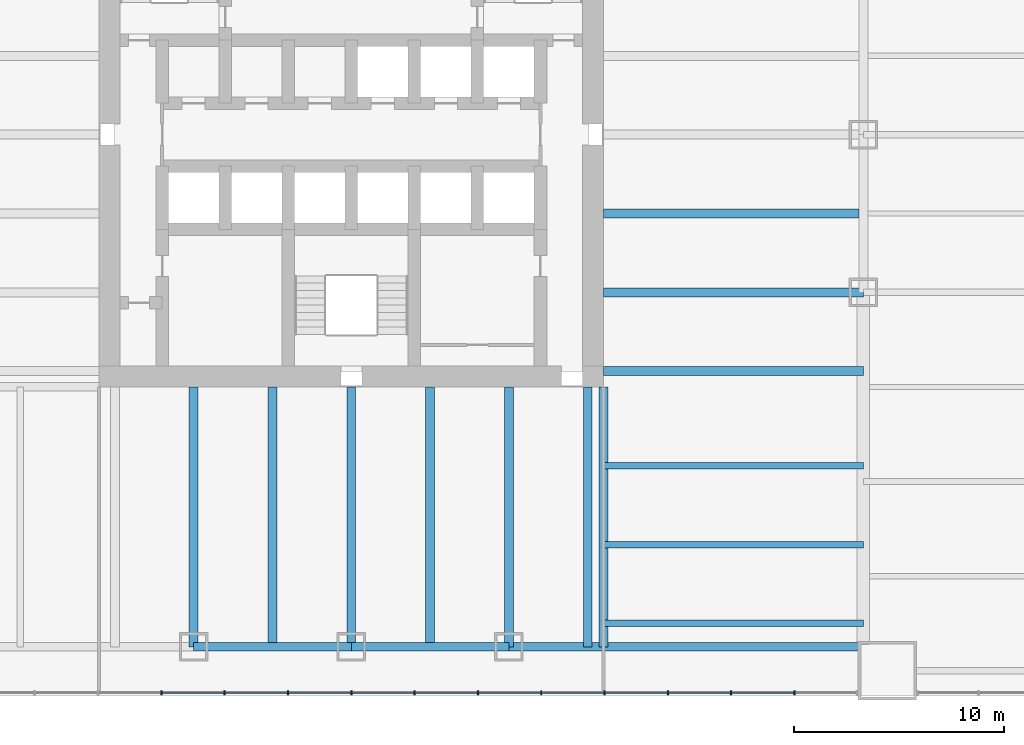
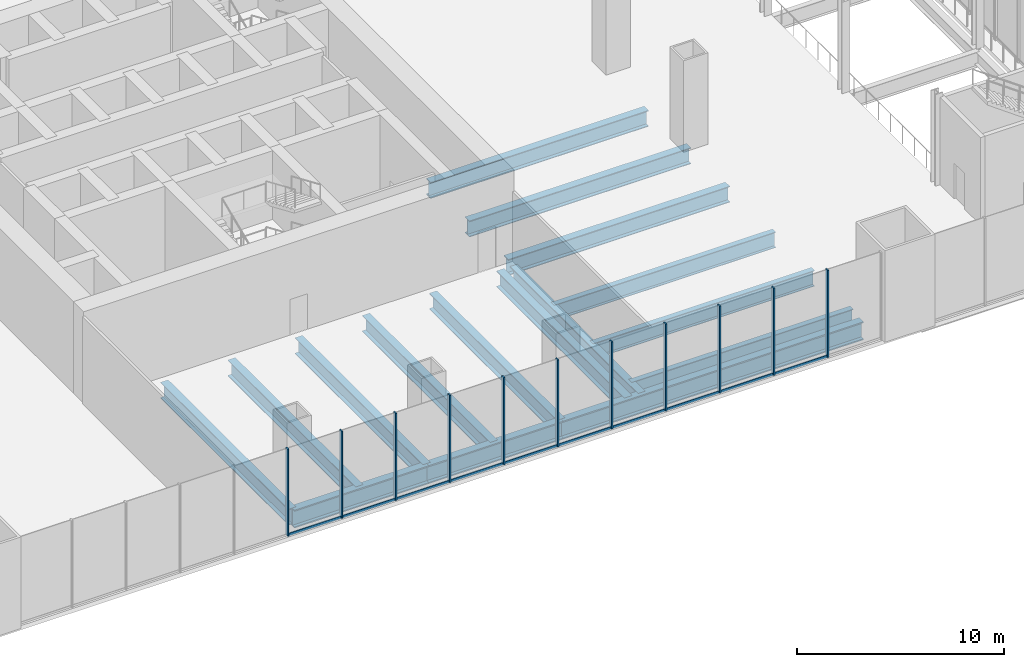
# One storey, part 4 of 16: 21 members, 16 beams, 1 element without a shape of its own.
"""IFC4 building model written with IfcOpenShell, lengths in metres."""

from ifc_helpers import new_model, si_unit, direction, frame, origin, origin_2d, place, context, subcontext, project, spatial, rectangle, i_section, extrude, material, material_profile, profile_set, type_object, element, aggregate, save


model = new_model("IFC4")

# Units and contexts
model_context = context("Model", 3, precision=1e-05, world=origin(), true_north=direction((0.0, 1.0)))
body_context = subcontext(model_context, "Body", "Model", "MODEL_VIEW")
ifc_project = project(units=[si_unit("LENGTHUNIT", "METRE"), si_unit("AREAUNIT", "SQUARE_METRE"), si_unit("VOLUMEUNIT", "CUBIC_METRE"), si_unit("PLANEANGLEUNIT", "RADIAN"), si_unit("MASSUNIT", "GRAM", prefix="KILO")], contexts=[model_context])

# Site, building, storey
site_placement = place(None, origin())
site = spatial("IfcSite", under=ifc_project, at=site_placement, CompositionType="ELEMENT")
building_placement = place(site_placement, origin())
building = spatial("IfcBuilding", under=site, at=building_placement, Name="Tarangal Relay Tower", CompositionType="ELEMENT")
storey_placement = place(building_placement, frame((0.0, 0.0, 7.199951171875)))
storey = spatial("IfcBuildingStorey", under=building, at=storey_placement, Name="L01", CompositionType="ELEMENT", Elevation=7.199951171875)

# Beams
ifc_material_1 = material(Name="Steel ASTM A992", Category="steel")
ifc_material_profile_1 = material_profile(ifc_material_1, i_section(OverallWidth=0.307373046875, OverallDepth=0.927001953125, WebThickness=0.019287109375, FlangeThickness=0.031982421875, at=origin_2d()), Name="W36X194")
ifc_profile_set_1 = profile_set([ifc_material_profile_1], Name="Steel ASTM A992")
beam_type_1 = type_object("IfcBeamType", Name="Corner beam W36X194", PredefinedType="JOIST", material=ifc_profile_set_1)
for number, where, z_axis, x_axis, name in (
    (1, (12.0, -15.75, -0.71337890625), (1.0, 0.0, 0.0), (0.0, 1.0, 0.0), "Corner beam CB10 E L01"),
    (2, (12.0, -19.5, -0.71337890625), (1.0, 0.0, 0.0), (0.0, 1.0, 0.0), "Corner beam CB10 E L01"),
    (3, (12.0, -23.25, -0.71337890625), (1.0, 0.0, 0.0), (0.0, 1.0, 0.0), "Corner beam CB10 E L01"),
):
    element("IfcBeam", number, at=place(storey_placement, frame(where, z_axis=z_axis, x_axis=x_axis)), inside=storey, type_object=beam_type_1, Name=name, PredefinedType="JOIST", context=body_context, shape_type="SweptSolid", body=[
        extrude(i_section(OverallWidth=0.307373046875, OverallDepth=0.927001953125, WebThickness=0.019287109375, FlangeThickness=0.031982421875, at=origin_2d()), origin(), (0.0, 0.0, 1.0), 12.364990234375),
    ])
ifc_material_profile_2 = material_profile(ifc_material_1, i_section(OverallWidth=0.408935546875, OverallDepth=1.04150390625, WebThickness=0.031005859375, FlangeThickness=0.055908203125, at=origin_2d()), Name="W40X397")
ifc_profile_set_2 = profile_set([ifc_material_profile_2], Name="Steel ASTM A992")
beam_type_2 = type_object("IfcBeamType", Name="Corner girder W40X397", PredefinedType="BEAM", material=ifc_profile_set_2)
beam_1_placement = place(storey_placement, frame((12.0, -12.0, -0.770751953125), z_axis=(0.0, -1.0, 0.0), x_axis=(1.0, 0.0, 0.0)))
element("IfcBeam", 4, at=beam_1_placement, inside=storey, type_object=beam_type_2, Name="Corner girder CG1 E L01", PredefinedType="BEAM", context=body_context, shape_type="SweptSolid", body=[
    extrude(i_section(OverallWidth=0.408935546875, OverallDepth=1.04150390625, WebThickness=0.031005859375, FlangeThickness=0.055908203125, at=origin_2d()), origin(), (0.0, 0.0, 1.0), 12.364990234375),
])
ifc_material_profile_3 = material_profile(ifc_material_1, i_section(OverallWidth=0.41650390625, OverallDepth=1.0693359375, WebThickness=0.0390625, FlangeThickness=0.070068359375, at=origin_2d()), Name="W40X503")
ifc_profile_set_3 = profile_set([ifc_material_profile_3], Name="Steel ASTM A992")
beam_type_3 = type_object("IfcBeamType", Name="Edge girder W40X503", PredefinedType="SPANDREL", material=ifc_profile_set_3)
beam_2_placement = place(storey_placement, frame((24.25, -24.364990234375, -0.78466796875), z_axis=(-1.0, 0.0, 0.0), x_axis=(0.0, -1.0, 0.0)))
element("IfcBeam", 5, at=beam_2_placement, inside=storey, type_object=beam_type_3, Name="Edge girder EG8 S L01", PredefinedType="SPANDREL", context=body_context, shape_type="SweptSolid", body=[
    extrude(i_section(OverallWidth=0.41650390625, OverallDepth=1.0693359375, WebThickness=0.0390625, FlangeThickness=0.070068359375, at=origin_2d()), origin(), (0.0, 0.0, 1.0), 16.75),
])
for number, where, z_axis, x_axis, name in (
    (6, (7.5, -24.364990234375, -0.78466796875), (-1.0, 0.0, 0.0), (0.0, -1.0, 0.0), "Edge girder EG8 S L01"),
    (7, (0.0, -24.364990234375, -0.78466796875), (-1.0, 0.0, 0.0), (0.0, -1.0, 0.0), "Edge girder EG8 S L01"),
):
    element("IfcBeam", number, at=place(storey_placement, frame(where, z_axis=z_axis, x_axis=x_axis)), inside=storey, type_object=beam_type_3, Name=name, PredefinedType="SPANDREL", context=body_context, shape_type="SweptSolid", body=[
        extrude(i_section(OverallWidth=0.41650390625, OverallDepth=1.0693359375, WebThickness=0.0390625, FlangeThickness=0.070068359375, at=origin_2d()), origin(), (0.0, 0.0, 1.0), 7.5),
    ])
ifc_material_profile_4 = material_profile(ifc_material_1, i_section(OverallWidth=0.42431640625, OverallDepth=0.947509765625, WebThickness=0.02392578125, FlangeThickness=0.042724609375, at=origin_2d()), Name="W36X302")
ifc_profile_set_4 = profile_set([ifc_material_profile_4], Name="Steel ASTM A992")
beam_type_4 = type_object("IfcBeamType", Name="Floor beam W36X302", PredefinedType="BEAM", material=ifc_profile_set_4)
beam_3_placement = place(storey_placement, frame((12.0, -3.75, -0.7236328125), z_axis=(1.0, 0.0, 0.0), x_axis=(0.0, 1.0, 0.0)))
element("IfcBeam", 8, at=beam_3_placement, inside=storey, type_object=beam_type_4, Name="Floor beam RB10 E L01", PredefinedType="BEAM", context=body_context, shape_type="SweptSolid", body=[
    extrude(i_section(OverallWidth=0.42431640625, OverallDepth=0.947509765625, WebThickness=0.02392578125, FlangeThickness=0.042724609375, at=origin_2d()), origin(), (0.0, 0.0, 1.0), 12.156982421875),
])
for number, where, z_axis, x_axis, name in (
    (9, (12.0, -7.5, -0.7236328125), (1.0, 0.0, 0.0), (0.0, 1.0, 0.0), "Floor beam RB10 E L01"),
    (10, (12.0, -11.25, -0.7236328125), (1.0, 0.0, 0.0), (0.0, 1.0, 0.0), "Floor beam RB10 E L01"),
    (11, (11.25, -12.0, -0.7236328125), (0.0, -1.0, 0.0), (1.0, 0.0, 0.0), "Floor beam RB10 S L01"),
    (12, (7.5, -12.0, -0.7236328125), (0.0, -1.0, 0.0), (1.0, 0.0, 0.0), "Floor beam RB10 S L01"),
    (13, (3.75, -12.0, -0.7236328125), (0.0, -1.0, 0.0), (1.0, 0.0, 0.0), "Floor beam RB10 S L01"),
    (14, (0.0, -12.0, -0.7236328125), (0.0, -1.0, 0.0), (1.0, 0.0, 0.0), "Floor beam RB10 S L01"),
    (15, (-3.75, -12.0, -0.7236328125), (0.0, -1.0, 0.0), (1.0, 0.0, 0.0), "Floor beam RB10 S L01"),
    (16, (-7.5, -12.0, -0.7236328125), (0.0, -1.0, 0.0), (1.0, 0.0, 0.0), "Floor beam RB10 S L01"),
):
    element("IfcBeam", number, at=place(storey_placement, frame(where, z_axis=z_axis, x_axis=x_axis)), inside=storey, type_object=beam_type_4, Name=name, PredefinedType="BEAM", context=body_context, shape_type="SweptSolid", body=[
        extrude(i_section(OverallWidth=0.42431640625, OverallDepth=0.947509765625, WebThickness=0.02392578125, FlangeThickness=0.042724609375, at=origin_2d()), origin(), (0.0, 0.0, 1.0), 12.364990234375),
    ])

# Curtain wall, members
ifc_material_2 = material(Name="Unitised curtain wall, dark glass and black aluminium", Category="aluminium")
curtain_wall_type = type_object("IfcCurtainWallType", Name="Curtain wall CW-P", PredefinedType="USERDEFINED", material=ifc_material_2)
curtain_wall_placement = place(storey_placement, origin())
curtain_wall = element("IfcCurtainWall", 17, at=curtain_wall_placement, inside=storey, type_object=curtain_wall_type, Name="Curtain wall CW-P Podium S facade L01", ObjectType="UNITISED CURTAIN WALL", PredefinedType="USERDEFINED")
ifc_material_3 = material(Name="Black anodised aluminium mullion", Category="aluminium")
ifc_material_profile_5 = material_profile(ifc_material_3, rectangle(XDim=0.199951171875, YDim=0.070068359375, at=origin_2d()), Name="CW-PM 70X200")
ifc_profile_set_5 = profile_set([ifc_material_profile_5], Name="Black anodised aluminium mullion")
member_type_1 = type_object("IfcMemberType", Name="Mullion CW-P 70 x 200", PredefinedType="MULLION", material=ifc_profile_set_5)
member_1_placement = place(storey_placement, frame((-9.03759765625, -26.550048828125, 0.0), z_axis=(0.0, 0.0, 1.0), x_axis=(0.0, 1.0, 0.0)))
member_1 = element("IfcMember", 18, at=member_1_placement, type_object=member_type_1, Name="CW-P mullion 6", PredefinedType="MULLION", context=body_context, shape_type="SweptSolid", body=[
    extrude(rectangle(XDim=0.199951171875, YDim=0.070068359375, at=origin_2d()), origin(), (0.0, 0.0, 1.0), 5.150146484375),
])
member_2_placement = place(storey_placement, frame((-6.02490234375, -26.550048828125, 0.0), z_axis=(0.0, 0.0, 1.0), x_axis=(0.0, 1.0, 0.0)))
member_2 = element("IfcMember", 19, at=member_2_placement, type_object=member_type_1, Name="CW-P mullion 7", PredefinedType="MULLION", context=body_context, shape_type="SweptSolid", body=[
    extrude(rectangle(XDim=0.199951171875, YDim=0.070068359375, at=origin_2d()), origin(), (0.0, 0.0, 1.0), 5.150146484375),
])
member_3_placement = place(storey_placement, frame((-3.012451171875, -26.550048828125, 0.0), z_axis=(0.0, 0.0, 1.0), x_axis=(0.0, 1.0, 0.0)))
member_3 = element("IfcMember", 20, at=member_3_placement, type_object=member_type_1, Name="CW-P mullion 8", PredefinedType="MULLION", context=body_context, shape_type="SweptSolid", body=[
    extrude(rectangle(XDim=0.199951171875, YDim=0.070068359375, at=origin_2d()), origin(), (0.0, 0.0, 1.0), 5.150146484375),
])
member_4_placement = place(storey_placement, frame((0.0, -26.550048828125, 0.0), z_axis=(0.0, 0.0, 1.0), x_axis=(0.0, 1.0, 0.0)))
member_4 = element("IfcMember", 21, at=member_4_placement, type_object=member_type_1, Name="CW-P mullion 9", PredefinedType="MULLION", context=body_context, shape_type="SweptSolid", body=[
    extrude(rectangle(XDim=0.199951171875, YDim=0.070068359375, at=origin_2d()), origin(), (0.0, 0.0, 1.0), 5.150146484375),
])
member_5_placement = place(storey_placement, frame((3.012451171875, -26.550048828125, 0.0), z_axis=(0.0, 0.0, 1.0), x_axis=(0.0, 1.0, 0.0)))
member_5 = element("IfcMember", 22, at=member_5_placement, type_object=member_type_1, Name="CW-P mullion 10", PredefinedType="MULLION", context=body_context, shape_type="SweptSolid", body=[
    extrude(rectangle(XDim=0.199951171875, YDim=0.070068359375, at=origin_2d()), origin(), (0.0, 0.0, 1.0), 5.150146484375),
])
member_6_placement = place(storey_placement, frame((6.02490234375, -26.550048828125, 0.0), z_axis=(0.0, 0.0, 1.0), x_axis=(0.0, 1.0, 0.0)))
member_6 = element("IfcMember", 23, at=member_6_placement, type_object=member_type_1, Name="CW-P mullion 11", PredefinedType="MULLION", context=body_context, shape_type="SweptSolid", body=[
    extrude(rectangle(XDim=0.199951171875, YDim=0.070068359375, at=origin_2d()), origin(), (0.0, 0.0, 1.0), 5.150146484375),
])
member_7_placement = place(storey_placement, frame((9.03759765625, -26.550048828125, 0.0), z_axis=(0.0, 0.0, 1.0), x_axis=(0.0, 1.0, 0.0)))
member_7 = element("IfcMember", 24, at=member_7_placement, type_object=member_type_1, Name="CW-P mullion 12", PredefinedType="MULLION", context=body_context, shape_type="SweptSolid", body=[
    extrude(rectangle(XDim=0.199951171875, YDim=0.070068359375, at=origin_2d()), origin(), (0.0, 0.0, 1.0), 5.150146484375),
])
member_8_placement = place(storey_placement, frame((12.050048828125, -26.550048828125, 0.0), z_axis=(0.0, 0.0, 1.0), x_axis=(0.0, 1.0, 0.0)))
member_8 = element("IfcMember", 25, at=member_8_placement, type_object=member_type_1, Name="CW-P mullion 13", PredefinedType="MULLION", context=body_context, shape_type="SweptSolid", body=[
    extrude(rectangle(XDim=0.199951171875, YDim=0.070068359375, at=origin_2d()), origin(), (0.0, 0.0, 1.0), 5.150146484375),
])
member_9_placement = place(storey_placement, frame((15.0625, -26.550048828125, 0.0), z_axis=(0.0, 0.0, 1.0), x_axis=(0.0, 1.0, 0.0)))
member_9 = element("IfcMember", 26, at=member_9_placement, type_object=member_type_1, Name="CW-P mullion 14", PredefinedType="MULLION", context=body_context, shape_type="SweptSolid", body=[
    extrude(rectangle(XDim=0.199951171875, YDim=0.070068359375, at=origin_2d()), origin(), (0.0, 0.0, 1.0), 5.150146484375),
])
member_10_placement = place(storey_placement, frame((18.074951171875, -26.550048828125, 0.0), z_axis=(0.0, 0.0, 1.0), x_axis=(0.0, 1.0, 0.0)))
member_10 = element("IfcMember", 27, at=member_10_placement, type_object=member_type_1, Name="CW-P mullion 15", PredefinedType="MULLION", context=body_context, shape_type="SweptSolid", body=[
    extrude(rectangle(XDim=0.199951171875, YDim=0.070068359375, at=origin_2d()), origin(), (0.0, 0.0, 1.0), 5.150146484375),
])
member_11_placement = place(storey_placement, frame((21.08740234375, -26.550048828125, 0.0), z_axis=(0.0, 0.0, 1.0), x_axis=(0.0, 1.0, 0.0)))
member_11 = element("IfcMember", 28, at=member_11_placement, type_object=member_type_1, Name="CW-P mullion 16", PredefinedType="MULLION", context=body_context, shape_type="SweptSolid", body=[
    extrude(rectangle(XDim=0.199951171875, YDim=0.070068359375, at=origin_2d()), origin(), (0.0, 0.0, 1.0), 5.150146484375),
])
ifc_material_4 = material(Name="Black anodised aluminium transom", Category="aluminium")
ifc_material_profile_6 = material_profile(ifc_material_4, rectangle(XDim=0.070068359375, YDim=0.159912109375, at=origin_2d()), Name="CW-PT 70X160")
ifc_profile_set_6 = profile_set([ifc_material_profile_6], Name="Black anodised aluminium transom")
member_type_2 = type_object("IfcMemberType", Name="Transom CW-P 70 x 160", PredefinedType="USERDEFINED", material=ifc_profile_set_6)
member_12_placement = place(storey_placement, frame((-9.00244140625, -26.550048828125, 0.03515625), z_axis=(1.0, 0.0, 0.0), x_axis=(0.0, 1.0, 0.0)))
member_12 = element("IfcMember", 29, at=member_12_placement, type_object=member_type_2, Name="CW-P transom 6.1", ObjectType="TRANSOM", PredefinedType="USERDEFINED", context=body_context, shape_type="SweptSolid", body=[
    extrude(rectangle(XDim=0.070068359375, YDim=0.159912109375, at=origin_2d()), origin(), (0.0, 0.0, 1.0), 2.9423828125),
])
member_13_placement = place(storey_placement, frame((-5.989990234375, -26.550048828125, 0.03515625), z_axis=(1.0, 0.0, 0.0), x_axis=(0.0, 1.0, 0.0)))
member_13 = element("IfcMember", 30, at=member_13_placement, type_object=member_type_2, Name="CW-P transom 7.1", ObjectType="TRANSOM", PredefinedType="USERDEFINED", context=body_context, shape_type="SweptSolid", body=[
    extrude(rectangle(XDim=0.070068359375, YDim=0.159912109375, at=origin_2d()), origin(), (0.0, 0.0, 1.0), 2.9423828125),
])
member_14_placement = place(storey_placement, frame((-2.9775390625, -26.550048828125, 0.03515625), z_axis=(1.0, 0.0, 0.0), x_axis=(0.0, 1.0, 0.0)))
member_14 = element("IfcMember", 31, at=member_14_placement, type_object=member_type_2, Name="CW-P transom 8.1", ObjectType="TRANSOM", PredefinedType="USERDEFINED", context=body_context, shape_type="SweptSolid", body=[
    extrude(rectangle(XDim=0.070068359375, YDim=0.159912109375, at=origin_2d()), origin(), (0.0, 0.0, 1.0), 2.942626953125),
])
member_15_placement = place(storey_placement, frame((0.034912109375, -26.550048828125, 0.03515625), z_axis=(1.0, 0.0, 0.0), x_axis=(0.0, 1.0, 0.0)))
member_15 = element("IfcMember", 32, at=member_15_placement, type_object=member_type_2, Name="CW-P transom 9.1", ObjectType="TRANSOM", PredefinedType="USERDEFINED", context=body_context, shape_type="SweptSolid", body=[
    extrude(rectangle(XDim=0.070068359375, YDim=0.159912109375, at=origin_2d()), origin(), (0.0, 0.0, 1.0), 2.942626953125),
])
member_16_placement = place(storey_placement, frame((3.047607421875, -26.550048828125, 0.03515625), z_axis=(1.0, 0.0, 0.0), x_axis=(0.0, 1.0, 0.0)))
member_16 = element("IfcMember", 33, at=member_16_placement, type_object=member_type_2, Name="CW-P transom 10.1", ObjectType="TRANSOM", PredefinedType="USERDEFINED", context=body_context, shape_type="SweptSolid", body=[
    extrude(rectangle(XDim=0.070068359375, YDim=0.159912109375, at=origin_2d()), origin(), (0.0, 0.0, 1.0), 2.9423828125),
])
member_17_placement = place(storey_placement, frame((6.06005859375, -26.550048828125, 0.03515625), z_axis=(1.0, 0.0, 0.0), x_axis=(0.0, 1.0, 0.0)))
member_17 = element("IfcMember", 34, at=member_17_placement, type_object=member_type_2, Name="CW-P transom 11.1", ObjectType="TRANSOM", PredefinedType="USERDEFINED", context=body_context, shape_type="SweptSolid", body=[
    extrude(rectangle(XDim=0.070068359375, YDim=0.159912109375, at=origin_2d()), origin(), (0.0, 0.0, 1.0), 2.9423828125),
])
member_18_placement = place(storey_placement, frame((9.072509765625, -26.550048828125, 0.03515625), z_axis=(1.0, 0.0, 0.0), x_axis=(0.0, 1.0, 0.0)))
member_18 = element("IfcMember", 35, at=member_18_placement, type_object=member_type_2, Name="CW-P transom 12.1", ObjectType="TRANSOM", PredefinedType="USERDEFINED", context=body_context, shape_type="SweptSolid", body=[
    extrude(rectangle(XDim=0.070068359375, YDim=0.159912109375, at=origin_2d()), origin(), (0.0, 0.0, 1.0), 2.9423828125),
])
member_19_placement = place(storey_placement, frame((12.0849609375, -26.550048828125, 0.03515625), z_axis=(1.0, 0.0, 0.0), x_axis=(0.0, 1.0, 0.0)))
member_19 = element("IfcMember", 36, at=member_19_placement, type_object=member_type_2, Name="CW-P transom 13.1", ObjectType="TRANSOM", PredefinedType="USERDEFINED", context=body_context, shape_type="SweptSolid", body=[
    extrude(rectangle(XDim=0.070068359375, YDim=0.159912109375, at=origin_2d()), origin(), (0.0, 0.0, 1.0), 2.942626953125),
])
member_20_placement = place(storey_placement, frame((15.097412109375, -26.550048828125, 0.03515625), z_axis=(1.0, 0.0, 0.0), x_axis=(0.0, 1.0, 0.0)))
member_20 = element("IfcMember", 37, at=member_20_placement, type_object=member_type_2, Name="CW-P transom 14.1", ObjectType="TRANSOM", PredefinedType="USERDEFINED", context=body_context, shape_type="SweptSolid", body=[
    extrude(rectangle(XDim=0.070068359375, YDim=0.159912109375, at=origin_2d()), origin(), (0.0, 0.0, 1.0), 2.942626953125),
])
member_21_placement = place(storey_placement, frame((18.110107421875, -26.550048828125, 0.03515625), z_axis=(1.0, 0.0, 0.0), x_axis=(0.0, 1.0, 0.0)))
member_21 = element("IfcMember", 38, at=member_21_placement, type_object=member_type_2, Name="CW-P transom 15.1", ObjectType="TRANSOM", PredefinedType="USERDEFINED", context=body_context, shape_type="SweptSolid", body=[
    extrude(rectangle(XDim=0.070068359375, YDim=0.159912109375, at=origin_2d()), origin(), (0.0, 0.0, 1.0), 2.9423828125),
])
aggregate(curtain_wall, [member_1, member_2, member_3, member_4, member_5, member_6, member_7, member_8, member_9, member_10, member_11, member_12, member_13, member_14, member_15, member_16, member_17, member_18, member_19, member_20, member_21])

save(model, "model.ifc")
